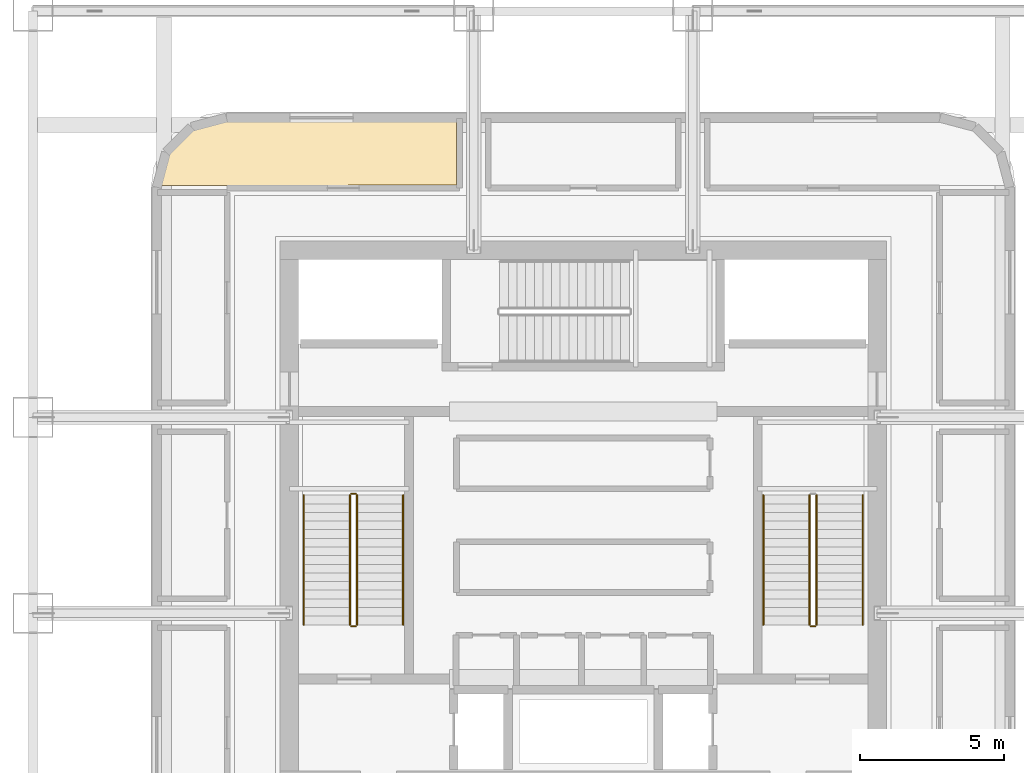
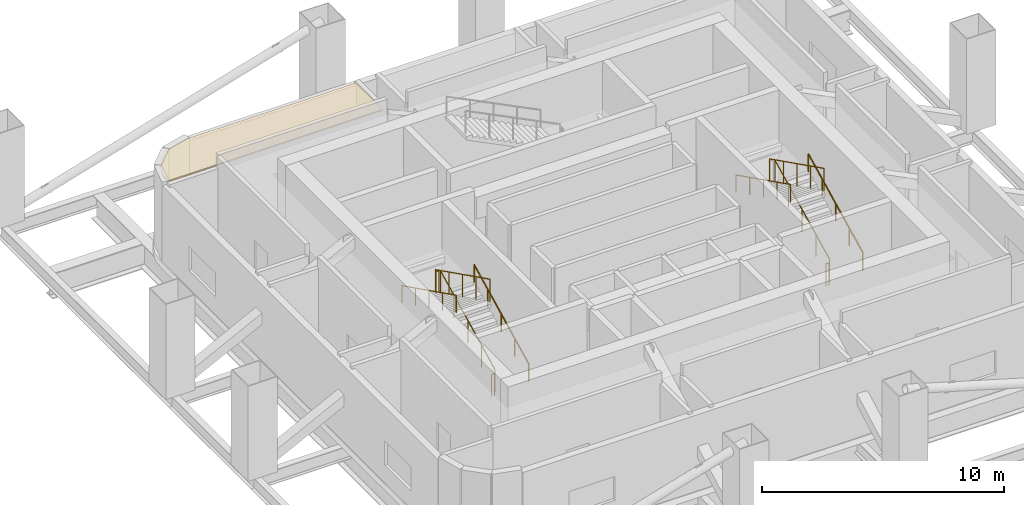
# One storey, part 7 of 9: 11 railings, 1 covering.
"""IFC4 building model written with IfcOpenShell, lengths in metres."""

from ifc_helpers import new_model, si_unit, direction, frame, origin, origin_2d, place, context, subcontext, project, spatial, polyline, circle, outline, extrude, material, layer, layer_set, type_object, element, save


model = new_model("IFC4")

# Units and contexts
model_context = context("Model", 3, precision=1e-05, world=origin(), true_north=direction((0.0, 1.0)))
body_context = subcontext(model_context, "Body", "Model", "MODEL_VIEW")
ifc_project = project(units=[si_unit("LENGTHUNIT", "METRE"), si_unit("AREAUNIT", "SQUARE_METRE"), si_unit("VOLUMEUNIT", "CUBIC_METRE"), si_unit("PLANEANGLEUNIT", "RADIAN"), si_unit("MASSUNIT", "GRAM", prefix="KILO")], contexts=[model_context])

# Site, building, storey
site_placement = place(None, origin())
site = spatial("IfcSite", under=ifc_project, at=site_placement, CompositionType="ELEMENT")
building_placement = place(site_placement, origin())
building = spatial("IfcBuilding", under=site, at=building_placement, Name="Punatoya Terracotta Tower", CompositionType="ELEMENT")
storey_placement = place(building_placement, frame((0.0, 0.0, 130.199951171875)))
storey = spatial("IfcBuildingStorey", under=building, at=storey_placement, Name="L30", CompositionType="ELEMENT", Elevation=130.199951171875)

# Covering
ifc_material_1 = material(Name="Acoustic Mineral Fibre Ceiling")
ifc_layer = layer(ifc_material_1, 0.06005859375)
ifc_layer_set = layer_set([ifc_layer], Name="Acoustic Mineral Fibre Ceiling")
covering_type = type_object("IfcCoveringType", Name="COV-CEIL-60", PredefinedType="CEILING", material=ifc_layer_set)
covering_placement = place(storey_placement, frame((0.0, 0.0, 3.8701171875)))
element("IfcCovering", 1, at=covering_placement, inside=storey, type_object=covering_type, Name="L30 Designated Pressurized Refuge Area North (West Bay) Acoustic Ceiling", PredefinedType="CEILING", context=body_context, shape_type="SweptSolid", body=[
    extrude(outline(polyline([(-14.599609375, 11.989501953125), (-14.670654296875, 11.449951171875), (-12.4599609375, 11.449951171875), (-4.39990234375, 11.4599609375), (-4.39990234375, 13.679931640625), (-12.37890625, 13.679931640625), (-12.989501953125, 13.599609375), (-13.53857421875, 13.372314453125), (-14.01025390625, 13.01025390625), (-14.372314453125, 12.53857421875), (-14.599609375, 11.989501953125)])), origin(), (0.0, 0.0, 1.0), 0.059814453125),
])

# Railings
ifc_material_2 = material(Name="Steel S355", Category="steel")
railing_type_1 = type_object("IfcRailingType", Name="RLG-GRD-1150", PredefinedType="GUARDRAIL", material=ifc_material_2)
railing_1_placement = place(storey_placement, frame((-7.85009765625, -3.800048828125, 0.150146484375)))
element("IfcRailing", 2, at=railing_1_placement, inside=storey, type_object=railing_type_1, Name="L30 ST-1 stair guard 1", PredefinedType="GUARDRAIL", context=body_context, shape_type="SweptSolid", body=[
    extrude(circle(Radius=0.02392578125, at=origin_2d()), frame((0.0, 0.0, 1.1259765625), z_axis=(0.0, 0.894427191, 0.4472135955), x_axis=(-1.0, 0.0, 0.0)), (0.0, 0.0, 1.0), 5.03125),
    extrude(circle(Radius=0.02099609375, at=origin_2d()), origin(), (0.0, 0.0, 1.0), 1.101806640625),
    extrude(circle(Radius=0.02099609375, at=origin_2d()), frame((0.0, 1.125, 0.5625)), (0.0, 0.0, 1.0), 1.101806640625),
    extrude(circle(Radius=0.02099609375, at=origin_2d()), frame((0.0, 2.25, 1.125)), (0.0, 0.0, 1.0), 1.101806640625),
    extrude(circle(Radius=0.02099609375, at=origin_2d()), frame((0.0, 3.375, 1.6875)), (0.0, 0.0, 1.0), 1.101806640625),
    extrude(circle(Radius=0.02099609375, at=origin_2d()), frame((0.0, 4.5, 2.25)), (0.0, 0.0, 1.0), 1.101806640625),
])
railing_2_placement = place(storey_placement, frame((-7.89990234375, 0.75, 2.400146484375)))
element("IfcRailing", 3, at=railing_2_placement, inside=storey, type_object=railing_type_1, Name="L30 ST-1 stair guard 2", PredefinedType="GUARDRAIL", context=body_context, shape_type="SweptSolid", body=[
    extrude(circle(Radius=0.02392578125, at=origin_2d()), frame((0.0, 0.0, 1.1259765625), z_axis=(-1.0, 0.0, 0.0), x_axis=(0.0, -1.0, 0.0)), (0.0, 0.0, 1.0), 0.150146484375),
    extrude(circle(Radius=0.02099609375, at=origin_2d()), origin(), (0.0, 0.0, 1.0), 1.101806640625),
    extrude(circle(Radius=0.02099609375, at=origin_2d()), frame((-0.150146484375, 0.0, 0.0)), (0.0, 0.0, 1.0), 1.101806640625),
])
railing_3_placement = place(storey_placement, frame((-8.10009765625, 0.699951171875, 2.550048828125)))
element("IfcRailing", 4, at=railing_3_placement, inside=storey, type_object=railing_type_1, Name="L30 ST-1 stair guard 3", PredefinedType="GUARDRAIL", context=body_context, shape_type="SweptSolid", body=[
    extrude(circle(Radius=0.02392578125, at=origin_2d()), frame((0.0, 0.0, 1.1259765625), z_axis=(0.0, -0.894427191, 0.4472135955), x_axis=(1.0, 0.0, 0.0)), (0.0, 0.0, 1.0), 5.03125),
    extrude(circle(Radius=0.02099609375, at=origin_2d()), origin(), (0.0, 0.0, 1.0), 1.101806640625),
    extrude(circle(Radius=0.02099609375, at=origin_2d()), frame((0.0, -1.125, 0.5625)), (0.0, 0.0, 1.0), 1.101806640625),
    extrude(circle(Radius=0.02099609375, at=origin_2d()), frame((0.0, -2.25, 1.125)), (0.0, 0.0, 1.0), 1.101806640625),
    extrude(circle(Radius=0.02099609375, at=origin_2d()), frame((0.0, -3.375, 1.6875)), (0.0, 0.0, 1.0), 1.101806640625),
    extrude(circle(Radius=0.02099609375, at=origin_2d()), frame((0.0, -4.5, 2.25)), (0.0, 0.0, 1.0), 1.101806640625),
])
railing_4_placement = place(storey_placement, frame((-7.89990234375, -3.85009765625, 0.0)))
element("IfcRailing", 5, at=railing_4_placement, inside=storey, type_object=railing_type_1, Name="L30 ST-1 stair guard 4", PredefinedType="GUARDRAIL", context=body_context, shape_type="SweptSolid", body=[
    extrude(circle(Radius=0.02392578125, at=origin_2d()), frame((0.0, 0.0, 1.1259765625), z_axis=(-1.0, 0.0, 0.0), x_axis=(0.0, -1.0, 0.0)), (0.0, 0.0, 1.0), 0.150146484375),
    extrude(circle(Radius=0.02099609375, at=origin_2d()), origin(), (0.0, 0.0, 1.0), 1.101806640625),
    extrude(circle(Radius=0.02099609375, at=origin_2d()), frame((-0.150146484375, 0.0, 0.0)), (0.0, 0.0, 1.0), 1.101806640625),
])
railing_5_placement = place(storey_placement, frame((8.10009765625, -3.800048828125, 0.150146484375)))
element("IfcRailing", 6, at=railing_5_placement, inside=storey, type_object=railing_type_1, Name="L30 ST-2 stair guard 1", PredefinedType="GUARDRAIL", context=body_context, shape_type="SweptSolid", body=[
    extrude(circle(Radius=0.02392578125, at=origin_2d()), frame((0.0, 0.0, 1.1259765625), z_axis=(0.0, 0.894427191, 0.4472135955), x_axis=(-1.0, 0.0, 0.0)), (0.0, 0.0, 1.0), 5.03125),
    extrude(circle(Radius=0.02099609375, at=origin_2d()), origin(), (0.0, 0.0, 1.0), 1.101806640625),
    extrude(circle(Radius=0.02099609375, at=origin_2d()), frame((0.0, 1.125, 0.5625)), (0.0, 0.0, 1.0), 1.101806640625),
    extrude(circle(Radius=0.02099609375, at=origin_2d()), frame((0.0, 2.25, 1.125)), (0.0, 0.0, 1.0), 1.101806640625),
    extrude(circle(Radius=0.02099609375, at=origin_2d()), frame((0.0, 3.375, 1.6875)), (0.0, 0.0, 1.0), 1.101806640625),
    extrude(circle(Radius=0.02099609375, at=origin_2d()), frame((0.0, 4.5, 2.25)), (0.0, 0.0, 1.0), 1.101806640625),
])
railing_6_placement = place(storey_placement, frame((7.85009765625, 0.699951171875, 2.550048828125)))
element("IfcRailing", 7, at=railing_6_placement, inside=storey, type_object=railing_type_1, Name="L30 ST-2 stair guard 3", PredefinedType="GUARDRAIL", context=body_context, shape_type="SweptSolid", body=[
    extrude(circle(Radius=0.02392578125, at=origin_2d()), frame((0.0, 0.0, 1.1259765625), z_axis=(0.0, -0.894427191, 0.4472135955), x_axis=(1.0, 0.0, 0.0)), (0.0, 0.0, 1.0), 5.03125),
    extrude(circle(Radius=0.02099609375, at=origin_2d()), origin(), (0.0, 0.0, 1.0), 1.101806640625),
    extrude(circle(Radius=0.02099609375, at=origin_2d()), frame((0.0, -1.125, 0.5625)), (0.0, 0.0, 1.0), 1.101806640625),
    extrude(circle(Radius=0.02099609375, at=origin_2d()), frame((0.0, -2.25, 1.125)), (0.0, 0.0, 1.0), 1.101806640625),
    extrude(circle(Radius=0.02099609375, at=origin_2d()), frame((0.0, -3.375, 1.6875)), (0.0, 0.0, 1.0), 1.101806640625),
    extrude(circle(Radius=0.02099609375, at=origin_2d()), frame((0.0, -4.5, 2.25)), (0.0, 0.0, 1.0), 1.101806640625),
])
railing_7_placement = place(storey_placement, frame((8.050048828125, -3.85009765625, 0.0)))
element("IfcRailing", 8, at=railing_7_placement, inside=storey, type_object=railing_type_1, Name="L30 ST-2 stair guard 4", PredefinedType="GUARDRAIL", context=body_context, shape_type="SweptSolid", body=[
    extrude(circle(Radius=0.02392578125, at=origin_2d()), frame((0.0, 0.0, 1.1259765625), z_axis=(-1.0, 0.0, 0.0), x_axis=(0.0, -1.0, 0.0)), (0.0, 0.0, 1.0), 0.150146484375),
    extrude(circle(Radius=0.02099609375, at=origin_2d()), origin(), (0.0, 0.0, 1.0), 1.101806640625),
    extrude(circle(Radius=0.02099609375, at=origin_2d()), frame((-0.150146484375, 0.0, 0.0)), (0.0, 0.0, 1.0), 1.101806640625),
])
railing_type_2 = type_object("IfcRailingType", Name="RLG-HND-900", PredefinedType="HANDRAIL", material=ifc_material_2)
railing_8_placement = place(storey_placement, frame((-6.25, -3.800048828125, 0.150146484375)))
element("IfcRailing", 9, at=railing_8_placement, inside=storey, type_object=railing_type_2, Name="L30 ST-1 stair handrail 1", PredefinedType="HANDRAIL", context=body_context, shape_type="SweptSolid", body=[
    extrude(circle(Radius=0.02392578125, at=origin_2d()), frame((0.0, 0.0, 0.8759765625), z_axis=(0.0, 0.894427191, 0.4472135955), x_axis=(-1.0, 0.0, 0.0)), (0.0, 0.0, 1.0), 5.03125),
    extrude(circle(Radius=0.02099609375, at=origin_2d()), origin(), (0.0, 0.0, 1.0), 0.851806640625),
    extrude(circle(Radius=0.02099609375, at=origin_2d()), frame((0.0, 1.125, 0.5625)), (0.0, 0.0, 1.0), 0.851806640625),
    extrude(circle(Radius=0.02099609375, at=origin_2d()), frame((0.0, 2.25, 1.125)), (0.0, 0.0, 1.0), 0.851806640625),
    extrude(circle(Radius=0.02099609375, at=origin_2d()), frame((0.0, 3.375, 1.6875)), (0.0, 0.0, 1.0), 0.851806640625),
    extrude(circle(Radius=0.02099609375, at=origin_2d()), frame((0.0, 4.5, 2.25)), (0.0, 0.0, 1.0), 0.851806640625),
])
railing_9_placement = place(storey_placement, frame((-9.699951171875, 0.699951171875, 2.550048828125)))
element("IfcRailing", 10, at=railing_9_placement, inside=storey, type_object=railing_type_2, Name="L30 ST-1 stair handrail 2", PredefinedType="HANDRAIL", context=body_context, shape_type="SweptSolid", body=[
    extrude(circle(Radius=0.02392578125, at=origin_2d()), frame((0.0, 0.0, 0.8759765625), z_axis=(0.0, -0.894427191, 0.4472135955), x_axis=(1.0, 0.0, 0.0)), (0.0, 0.0, 1.0), 5.03125),
    extrude(circle(Radius=0.02099609375, at=origin_2d()), origin(), (0.0, 0.0, 1.0), 0.851806640625),
    extrude(circle(Radius=0.02099609375, at=origin_2d()), frame((0.0, -1.125, 0.5625)), (0.0, 0.0, 1.0), 0.851806640625),
    extrude(circle(Radius=0.02099609375, at=origin_2d()), frame((0.0, -2.25, 1.125)), (0.0, 0.0, 1.0), 0.851806640625),
    extrude(circle(Radius=0.02099609375, at=origin_2d()), frame((0.0, -3.375, 1.6875)), (0.0, 0.0, 1.0), 0.851806640625),
    extrude(circle(Radius=0.02099609375, at=origin_2d()), frame((0.0, -4.5, 2.25)), (0.0, 0.0, 1.0), 0.851806640625),
])
railing_10_placement = place(storey_placement, frame((9.699951171875, -3.800048828125, 0.150146484375)))
element("IfcRailing", 11, at=railing_10_placement, inside=storey, type_object=railing_type_2, Name="L30 ST-2 stair handrail 1", PredefinedType="HANDRAIL", context=body_context, shape_type="SweptSolid", body=[
    extrude(circle(Radius=0.02392578125, at=origin_2d()), frame((0.0, 0.0, 0.8759765625), z_axis=(0.0, 0.894427191, 0.4472135955), x_axis=(-1.0, 0.0, 0.0)), (0.0, 0.0, 1.0), 5.03125),
    extrude(circle(Radius=0.02099609375, at=origin_2d()), origin(), (0.0, 0.0, 1.0), 0.851806640625),
    extrude(circle(Radius=0.02099609375, at=origin_2d()), frame((0.0, 1.125, 0.5625)), (0.0, 0.0, 1.0), 0.851806640625),
    extrude(circle(Radius=0.02099609375, at=origin_2d()), frame((0.0, 2.25, 1.125)), (0.0, 0.0, 1.0), 0.851806640625),
    extrude(circle(Radius=0.02099609375, at=origin_2d()), frame((0.0, 3.375, 1.6875)), (0.0, 0.0, 1.0), 0.851806640625),
    extrude(circle(Radius=0.02099609375, at=origin_2d()), frame((0.0, 4.5, 2.25)), (0.0, 0.0, 1.0), 0.851806640625),
])
railing_11_placement = place(storey_placement, frame((6.25, 0.699951171875, 2.550048828125)))
element("IfcRailing", 12, at=railing_11_placement, inside=storey, type_object=railing_type_2, Name="L30 ST-2 stair handrail 2", PredefinedType="HANDRAIL", context=body_context, shape_type="SweptSolid", body=[
    extrude(circle(Radius=0.02392578125, at=origin_2d()), frame((0.0, 0.0, 0.8759765625), z_axis=(0.0, -0.894427191, 0.4472135955), x_axis=(1.0, 0.0, 0.0)), (0.0, 0.0, 1.0), 5.03125),
    extrude(circle(Radius=0.02099609375, at=origin_2d()), origin(), (0.0, 0.0, 1.0), 0.851806640625),
    extrude(circle(Radius=0.02099609375, at=origin_2d()), frame((0.0, -1.125, 0.5625)), (0.0, 0.0, 1.0), 0.851806640625),
    extrude(circle(Radius=0.02099609375, at=origin_2d()), frame((0.0, -2.25, 1.125)), (0.0, 0.0, 1.0), 0.851806640625),
    extrude(circle(Radius=0.02099609375, at=origin_2d()), frame((0.0, -3.375, 1.6875)), (0.0, 0.0, 1.0), 0.851806640625),
    extrude(circle(Radius=0.02099609375, at=origin_2d()), frame((0.0, -4.5, 2.25)), (0.0, 0.0, 1.0), 0.851806640625),
])

save(model, "model.ifc")
